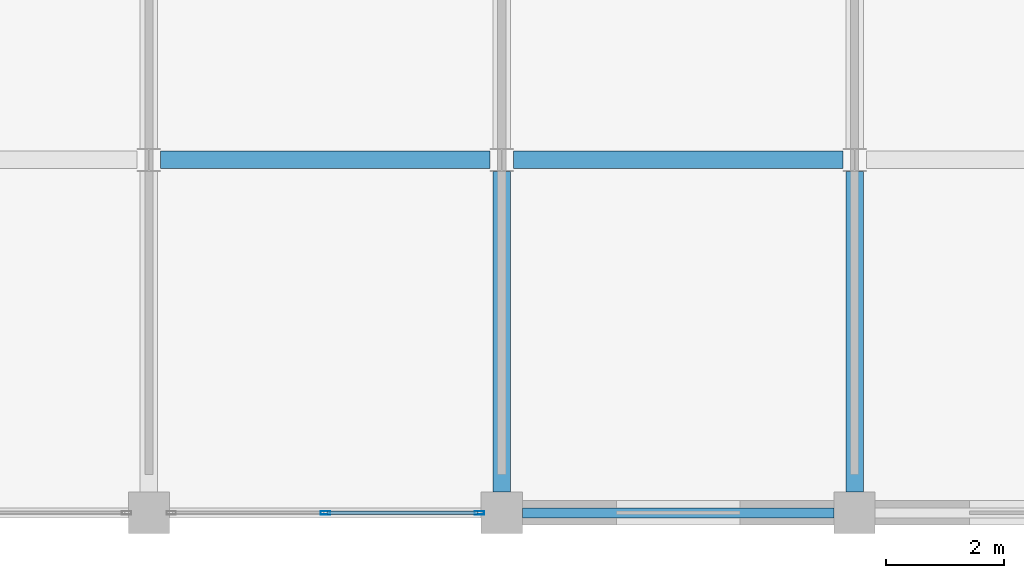
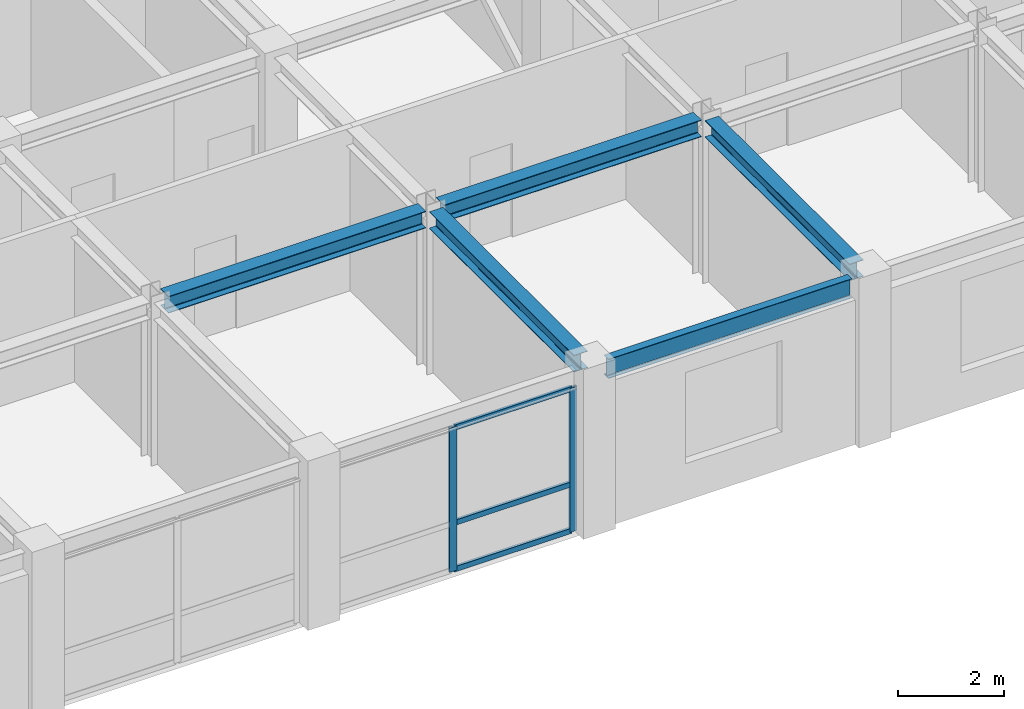
# One storey, part 6 of 14: 5 beams, 5 members, 1 element without a shape of its own.
"""IFC4 building model written with IfcOpenShell, lengths in metres."""

from ifc_helpers import new_model, si_unit, direction, frame, origin, origin_2d, place, context, subcontext, project, spatial, hollow_rectangle, i_section, extrude, material, layer, layer_set, material_profile, profile_set, type_object, element, aggregate, save


model = new_model("IFC4")

# Units and contexts
model_context = context("Model", 3, precision=1e-05, world=origin(), true_north=direction((0.0, 1.0)))
body_context = subcontext(model_context, "Body", "Model", "MODEL_VIEW")
ifc_project = project(units=[si_unit("LENGTHUNIT", "METRE"), si_unit("AREAUNIT", "SQUARE_METRE"), si_unit("VOLUMEUNIT", "CUBIC_METRE"), si_unit("PLANEANGLEUNIT", "RADIAN"), si_unit("MASSUNIT", "GRAM", prefix="KILO")], contexts=[model_context])

# Site, building, storey
site_placement = place(None, origin())
site = spatial("IfcSite", under=ifc_project, at=site_placement, CompositionType="ELEMENT")
building_placement = place(site_placement, origin())
building = spatial("IfcBuilding", under=site, at=building_placement, Name="Zlatovratsky Civic Hall", CompositionType="ELEMENT")
storey_placement = place(building_placement, frame((0.0, 0.0, 28.800048828125)))
storey = spatial("IfcBuildingStorey", under=building, at=storey_placement, Name="L07", CompositionType="ELEMENT", Elevation=28.800048828125)

# Beams
ifc_material_1 = material(Name="Steel S355", Category="steel")
ifc_material_profile_1 = material_profile(ifc_material_1, i_section(OverallWidth=0.169921875, OverallDepth=0.446044921875, WebThickness=0.007568359375, FlangeThickness=0.010986328125, FilletRadius=0.01611328125, at=origin_2d()), Name="45B1")
ifc_profile_set_1 = profile_set([ifc_material_profile_1], Name="Steel S355")
beam_type_1 = type_object("IfcBeamType", Name="Beam_Spandrel_45B1", PredefinedType="SPANDREL", material=ifc_profile_set_1)
beam_placement = place(storey_placement, frame((90.35009765625, 72.0, 3.516845703125), z_axis=(1.0, 0.0, 0.0), x_axis=(0.0, 1.0, 0.0)))
element("IfcBeam", 1, at=beam_placement, inside=storey, type_object=beam_type_1, Name="BM-4251", PredefinedType="SPANDREL", context=body_context, shape_type="SweptSolid", body=[
    extrude(i_section(OverallWidth=0.169921875, OverallDepth=0.446044921875, WebThickness=0.007568359375, FlangeThickness=0.010986328125, FilletRadius=0.01611328125, at=origin_2d()), origin(), (0.0, 0.0, 1.0), 5.2998046875),
])
ifc_material_profile_2 = material_profile(ifc_material_1, i_section(OverallWidth=0.300048828125, OverallDepth=0.387939453125, WebThickness=0.009521484375, FlangeThickness=0.013916015625, FilletRadius=0.02197265625, at=origin_2d()), Name="40Sh1")
ifc_profile_set_2 = profile_set([ifc_material_profile_2], Name="Steel S355")
beam_type_2 = type_object("IfcBeamType", Name="Beam_TowerMid_40Sh1", PredefinedType="BEAM", material=ifc_profile_set_2)
for number, where, z_axis, x_axis, name in (
    (2, (84.198974609375, 78.0, 3.5458984375), (1.0, 0.0, 0.0), (0.0, 1.0, 0.0), "BM-4260"),
    (3, (90.198974609375, 78.0, 3.5458984375), (1.0, 0.0, 0.0), (0.0, 1.0, 0.0), "BM-4261"),
):
    element("IfcBeam", number, at=place(storey_placement, frame(where, z_axis=z_axis, x_axis=x_axis)), inside=storey, type_object=beam_type_2, Name=name, PredefinedType="BEAM", context=body_context, shape_type="SweptSolid", body=[
        extrude(i_section(OverallWidth=0.300048828125, OverallDepth=0.387939453125, WebThickness=0.009521484375, FlangeThickness=0.013916015625, FilletRadius=0.02197265625, at=origin_2d()), origin(), (0.0, 0.0, 1.0), 5.60205078125),
    ])
for number, where, z_axis, x_axis, name in (
    (4, (90.0, 72.35009765625, 3.5458984375), (0.0, 1.0, 0.0), (-1.0, 0.0, 0.0), "BM-4349"),
    (5, (96.0, 72.35009765625, 3.5458984375), (0.0, 1.0, 0.0), (-1.0, 0.0, 0.0), "BM-4355"),
):
    element("IfcBeam", number, at=place(storey_placement, frame(where, z_axis=z_axis, x_axis=x_axis)), inside=storey, type_object=beam_type_2, Name=name, PredefinedType="BEAM", context=body_context, shape_type="SweptSolid", body=[
        extrude(i_section(OverallWidth=0.300048828125, OverallDepth=0.387939453125, WebThickness=0.009521484375, FlangeThickness=0.013916015625, FilletRadius=0.02197265625, at=origin_2d()), origin(), (0.0, 0.0, 1.0), 5.452880859375),
    ])

# Curtain wall, members
ifc_material_2 = material(Name="Anodised bronze aluminium", Category="aluminium")
ifc_layer = layer(ifc_material_2, 0.159912109375)
ifc_layer_set = layer_set([ifc_layer], Name="Anodised bronze aluminium")
curtain_wall_type = type_object("IfcCurtainWallType", Name="CurtainWall_Bronze_5300x3320_21", PredefinedType="NOTDEFINED", material=ifc_layer_set)
curtain_wall_placement = place(storey_placement, origin())
curtain_wall = element("IfcCurtainWall", 6, at=curtain_wall_placement, inside=storey, type_object=curtain_wall_type, Name="CW-138", PredefinedType="NOTDEFINED")
ifc_material_profile_3 = material_profile(ifc_material_2, hollow_rectangle(XDim=0.06005859375, YDim=0.159912109375, WallThickness=0.00390625, at=origin_2d()), Name="ALU 60x160x4")
ifc_profile_set_3 = profile_set([ifc_material_profile_3], Name="Anodised bronze aluminium")
member_type_1 = type_object("IfcMemberType", Name="CW_Mullion_60x160", PredefinedType="MULLION", material=ifc_profile_set_3)
member_1_placement = place(storey_placement, frame((87.0, 72.0, 0.0), z_axis=(0.0, 0.0, 1.0), x_axis=(0.0, 1.0, 0.0)))
member_1 = element("IfcMember", 7, at=member_1_placement, type_object=member_type_1, Name="CW-21 mullion 2", PredefinedType="MULLION", context=body_context, shape_type="SweptSolid", body=[
    extrude(hollow_rectangle(XDim=0.06005859375, YDim=0.159912109375, WallThickness=0.00390625, at=origin_2d()), origin(), (0.0, 0.0, 1.0), 3.320068359375),
])
member_2_placement = place(storey_placement, frame((89.6201171875, 72.0, 0.0), z_axis=(0.0, 0.0, 1.0), x_axis=(0.0, 1.0, 0.0)))
member_2 = element("IfcMember", 8, at=member_2_placement, type_object=member_type_1, Name="CW-21 mullion 3", PredefinedType="MULLION", context=body_context, shape_type="SweptSolid", body=[
    extrude(hollow_rectangle(XDim=0.06005859375, YDim=0.159912109375, WallThickness=0.00390625, at=origin_2d()), origin(), (0.0, 0.0, 1.0), 3.320068359375),
])
ifc_material_profile_4 = material_profile(ifc_material_2, hollow_rectangle(XDim=0.06005859375, YDim=0.1201171875, WallThickness=0.00390625, at=origin_2d()), Name="ALU 60x120x4")
ifc_profile_set_4 = profile_set([ifc_material_profile_4], Name="Anodised bronze aluminium")
member_type_2 = type_object("IfcMemberType", Name="CW_Transom_60x120", PredefinedType="USERDEFINED", material=ifc_profile_set_4)
member_3_placement = place(storey_placement, frame((87.030029296875, 72.0, 0.030029296875), z_axis=(1.0, 0.0, 0.0), x_axis=(0.0, 1.0, 0.0)))
member_3 = element("IfcMember", 9, at=member_3_placement, type_object=member_type_2, Name="CW-21 transom 2.1", ObjectType="TRANSOM", PredefinedType="USERDEFINED", context=body_context, shape_type="SweptSolid", body=[
    extrude(hollow_rectangle(XDim=0.06005859375, YDim=0.1201171875, WallThickness=0.00390625, at=origin_2d()), origin(), (0.0, 0.0, 1.0), 2.56005859375),
])
member_4_placement = place(storey_placement, frame((87.030029296875, 72.0, 1.099853515625), z_axis=(1.0, 0.0, 0.0), x_axis=(0.0, 1.0, 0.0)))
member_4 = element("IfcMember", 10, at=member_4_placement, type_object=member_type_2, Name="CW-21 transom 2.2", ObjectType="TRANSOM", PredefinedType="USERDEFINED", context=body_context, shape_type="SweptSolid", body=[
    extrude(hollow_rectangle(XDim=0.06005859375, YDim=0.1201171875, WallThickness=0.00390625, at=origin_2d()), origin(), (0.0, 0.0, 1.0), 2.56005859375),
])
member_5_placement = place(storey_placement, frame((87.030029296875, 72.0, 3.2900390625), z_axis=(1.0, 0.0, 0.0), x_axis=(0.0, 1.0, 0.0)))
member_5 = element("IfcMember", 11, at=member_5_placement, type_object=member_type_2, Name="CW-21 transom 2.3", ObjectType="TRANSOM", PredefinedType="USERDEFINED", context=body_context, shape_type="SweptSolid", body=[
    extrude(hollow_rectangle(XDim=0.06005859375, YDim=0.1201171875, WallThickness=0.00390625, at=origin_2d()), origin(), (0.0, 0.0, 1.0), 2.56005859375),
])
aggregate(curtain_wall, [member_1, member_2, member_3, member_4, member_5])

save(model, "model.ifc")
